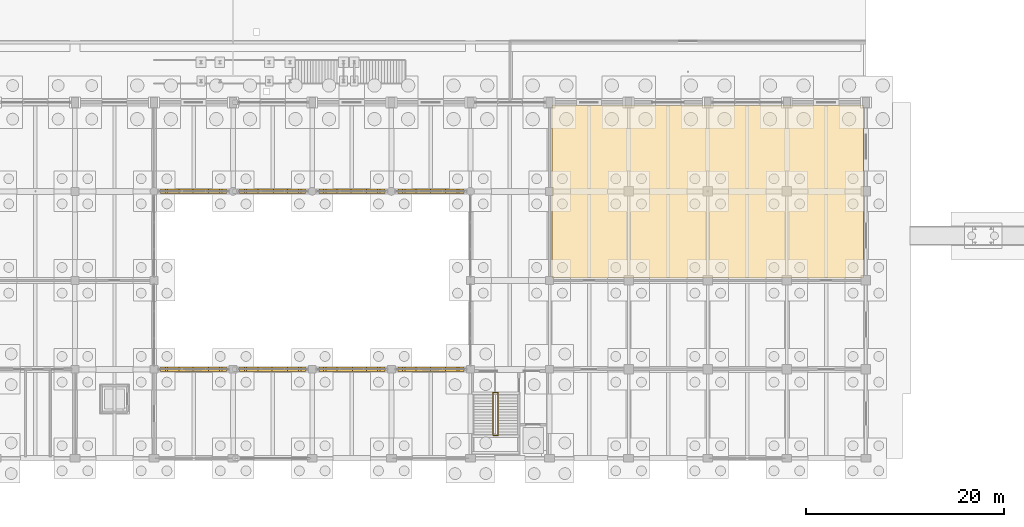
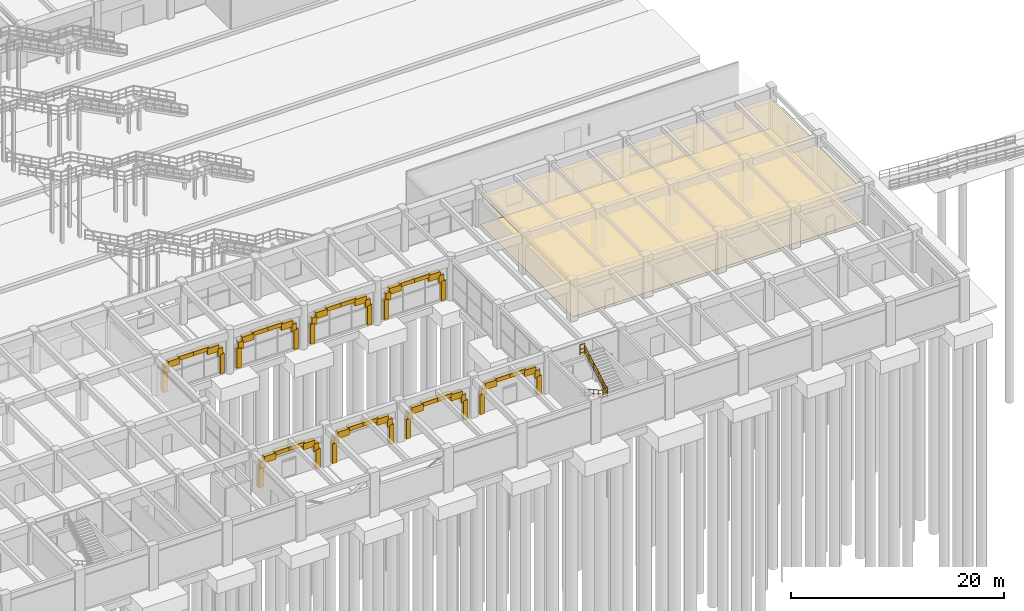
# One storey, part 141 of 147: 66 coverings, 4 railings.
"""IFC4 building model written with IfcOpenShell, lengths in metres."""

from ifc_helpers import new_model, si_unit, direction, frame, origin, origin_2d, place, context, subcontext, project, spatial, polyline, rectangle, circle, outline, extrude, material, layer, layer_set, type_object, element, save


model = new_model("IFC4")

# Units and contexts
model_context = context("Model", 3, precision=1e-05, world=origin(), true_north=direction((0.0, 1.0)))
body_context = subcontext(model_context, "Body", "Model", "MODEL_VIEW")
ifc_project = project(units=[si_unit("LENGTHUNIT", "METRE"), si_unit("AREAUNIT", "SQUARE_METRE"), si_unit("VOLUMEUNIT", "CUBIC_METRE"), si_unit("PLANEANGLEUNIT", "RADIAN"), si_unit("MASSUNIT", "GRAM", prefix="KILO")], contexts=[model_context])

# Site, building, storey
site_placement = place(None, origin())
site = spatial("IfcSite", under=ifc_project, at=site_placement, CompositionType="ELEMENT")
building_placement = place(site_placement, origin())
building = spatial("IfcBuilding", under=site, at=building_placement, Name="Varnabhumi Central Station", CompositionType="ELEMENT")
storey_placement = place(building_placement, origin())
storey = spatial("IfcBuildingStorey", under=building, at=storey_placement, Name="L00", CompositionType="ELEMENT", Elevation=0.0)

# Coverings
ifc_material_1 = material(Name="Mineral-fibre acoustic tile")
ifc_layer_1 = layer(ifc_material_1, 0.02490234375, Name="Mineral-fibre acoustic tile")
ifc_layer_set_1 = layer_set([ifc_layer_1], Name="Mineral-fibre acoustic tile")
covering_type_1 = type_object("IfcCoveringType", Name="COV-CEIL-ACOUSTIC", PredefinedType="CEILING", material=ifc_layer_set_1)
covering_1_placement = place(storey_placement, frame((0.0, 0.0, 3.469970703125)))
element("IfcCovering", 1, at=covering_1_placement, inside=storey, type_object=covering_type_1, Name="Parcel Loading Bay and Dispatch Apron Acoustic Ceiling", PredefinedType="CEILING", context=body_context, shape_type="SweptSolid", body=[
    extrude(outline(polyline([(152.25, 18.25), (183.75, 18.25), (183.75, 35.75), (152.25, 35.75), (152.25, 18.25)])), origin(), (0.0, 0.0, 1.0), 0.025146484375),
])
ifc_material_2 = material(Name="Vitrified granite stone flooring", Category="masonry")
ifc_layer_2 = layer(ifc_material_2, 0.030029296875, Name="Vitrified granite stone flooring", Category="masonry")
ifc_layer_set_2 = layer_set([ifc_layer_2], Name="Vitrified granite stone flooring")
covering_type_2 = type_object("IfcCoveringType", Name="COV-FLOR-GRANITE", PredefinedType="FLOORING", material=ifc_layer_set_2)
covering_2_placement = place(storey_placement, origin())
element("IfcCovering", 2, at=covering_2_placement, inside=storey, type_object=covering_type_2, Name="Parcel Loading Bay and Dispatch Apron Granite Flooring", PredefinedType="FLOORING", context=body_context, shape_type="SweptSolid", body=[
    extrude(outline(polyline([(152.25, 18.25), (183.75, 18.25), (183.75, 35.75), (152.25, 35.75), (152.25, 18.25)])), origin(), (0.0, 0.0, 1.0), 0.030029296875),
])
ifc_material_3 = material(Name="Terracotta clay Mission barrel tile", Category="masonry")
ifc_layer_3 = layer(ifc_material_3, 0.02001953125, Name="Terracotta clay Mission barrel tile", Category="masonry")
ifc_layer_set_3 = layer_set([ifc_layer_3], Name="Terracotta clay Mission barrel tile")
covering_type_3 = type_object("IfcCoveringType", Name="COV-WALL-FAIENCE", PredefinedType="CLADDING", material=ifc_layer_set_3)
covering_3_placement = place(storey_placement, frame((113.107421875, 9.0, 2.06005859375), z_axis=(0.0, 0.0, 1.0), x_axis=(1.0, 0.0, 0.0)))
element("IfcCovering", 3, at=covering_3_placement, inside=storey, type_object=covering_type_3, Name="South Patio Cloister Arch L00-S1 Stone Voussoir 1", PredefinedType="CLADDING", context=body_context, shape_type="SweptSolid", body=[
    extrude(rectangle(XDim=0.534912109375, YDim=0.47998046875, at=origin_2d()), origin(), (0.0, 0.0, 1.0), 0.8798828125),
])
covering_4_placement = place(storey_placement, frame((113.882568359375, 9.0, 2.66015625), z_axis=(0.0, 0.0, 1.0), x_axis=(1.0, 0.0, 0.0)))
element("IfcCovering", 4, at=covering_4_placement, inside=storey, type_object=covering_type_3, Name="South Patio Cloister Arch L00-S1 Stone Voussoir 2", PredefinedType="CLADDING", context=body_context, shape_type="SweptSolid", body=[
    extrude(rectangle(XDim=1.2548828125, YDim=0.47998046875, at=origin_2d()), origin(), (0.0, 0.0, 1.0), 0.718994140625),
])
for number, where, z_axis, x_axis, name in (
    (5, (115.22509765625, 9.0, 3.09912109375), (0.0, 0.0, 1.0), (1.0, 0.0, 0.0), "South Patio Cloister Arch L00-S1 Stone Voussoir 3"),
    (6, (116.77490234375, 9.0, 3.09912109375), (0.0, 0.0, 1.0), (1.0, 0.0, 0.0), "South Patio Cloister Arch L00-S1 Stone Voussoir 4"),
):
    element("IfcCovering", number, at=place(storey_placement, frame(where, z_axis=z_axis, x_axis=x_axis)), inside=storey, type_object=covering_type_3, Name=name, PredefinedType="CLADDING", context=body_context, shape_type="SweptSolid", body=[
        extrude(rectangle(XDim=1.669921875, YDim=0.47998046875, at=origin_2d()), origin(), (0.0, 0.0, 1.0), 0.44091796875),
    ])
covering_5_placement = place(storey_placement, frame((118.117431640625, 9.0, 2.66015625), z_axis=(0.0, 0.0, 1.0), x_axis=(1.0, 0.0, 0.0)))
element("IfcCovering", 7, at=covering_5_placement, inside=storey, type_object=covering_type_3, Name="South Patio Cloister Arch L00-S1 Stone Voussoir 5", PredefinedType="CLADDING", context=body_context, shape_type="SweptSolid", body=[
    extrude(rectangle(XDim=1.2548828125, YDim=0.47998046875, at=origin_2d()), origin(), (0.0, 0.0, 1.0), 0.718994140625),
])
covering_6_placement = place(storey_placement, frame((118.892578125, 9.0, 2.06005859375), z_axis=(0.0, 0.0, 1.0), x_axis=(1.0, 0.0, 0.0)))
element("IfcCovering", 8, at=covering_6_placement, inside=storey, type_object=covering_type_3, Name="South Patio Cloister Arch L00-S1 Stone Voussoir 6", PredefinedType="CLADDING", context=body_context, shape_type="SweptSolid", body=[
    extrude(rectangle(XDim=0.534912109375, YDim=0.47998046875, at=origin_2d()), origin(), (0.0, 0.0, 1.0), 0.8798828125),
])
for number, where, z_axis, x_axis, name in (
    (9, (112.89990234375, 9.0, -0.02001953125), (0.0, 0.0, 1.0), (1.0, 0.0, 0.0), "South Patio Cloister Arch L00-S1 Classical Pilaster 1"),
    (10, (119.10009765625, 9.0, -0.02001953125), (0.0, 0.0, 1.0), (1.0, 0.0, 0.0), "South Patio Cloister Arch L00-S1 Classical Pilaster 2"),
):
    element("IfcCovering", number, at=place(storey_placement, frame(where, z_axis=z_axis, x_axis=x_axis)), inside=storey, type_object=covering_type_3, Name=name, PredefinedType="CLADDING", context=body_context, shape_type="SweptSolid", body=[
        extrude(rectangle(XDim=0.47998046875, YDim=0.47998046875, at=origin_2d()), origin(), (0.0, 0.0, 1.0), 2.239990234375),
    ])
covering_7_placement = place(storey_placement, frame((113.107421875, 27.0, 2.06005859375), z_axis=(0.0, 0.0, 1.0), x_axis=(1.0, 0.0, 0.0)))
element("IfcCovering", 11, at=covering_7_placement, inside=storey, type_object=covering_type_3, Name="South Patio Cloister Arch L00-N1 Stone Voussoir 1", PredefinedType="CLADDING", context=body_context, shape_type="SweptSolid", body=[
    extrude(rectangle(XDim=0.534912109375, YDim=0.47998046875, at=origin_2d()), origin(), (0.0, 0.0, 1.0), 0.8798828125),
])
covering_8_placement = place(storey_placement, frame((113.882568359375, 27.0, 2.66015625), z_axis=(0.0, 0.0, 1.0), x_axis=(1.0, 0.0, 0.0)))
element("IfcCovering", 12, at=covering_8_placement, inside=storey, type_object=covering_type_3, Name="South Patio Cloister Arch L00-N1 Stone Voussoir 2", PredefinedType="CLADDING", context=body_context, shape_type="SweptSolid", body=[
    extrude(rectangle(XDim=1.2548828125, YDim=0.47998046875, at=origin_2d()), origin(), (0.0, 0.0, 1.0), 0.718994140625),
])
for number, where, z_axis, x_axis, name in (
    (13, (115.22509765625, 27.0, 3.09912109375), (0.0, 0.0, 1.0), (1.0, 0.0, 0.0), "South Patio Cloister Arch L00-N1 Stone Voussoir 3"),
    (14, (116.77490234375, 27.0, 3.09912109375), (0.0, 0.0, 1.0), (1.0, 0.0, 0.0), "South Patio Cloister Arch L00-N1 Stone Voussoir 4"),
):
    element("IfcCovering", number, at=place(storey_placement, frame(where, z_axis=z_axis, x_axis=x_axis)), inside=storey, type_object=covering_type_3, Name=name, PredefinedType="CLADDING", context=body_context, shape_type="SweptSolid", body=[
        extrude(rectangle(XDim=1.669921875, YDim=0.47998046875, at=origin_2d()), origin(), (0.0, 0.0, 1.0), 0.44091796875),
    ])
covering_9_placement = place(storey_placement, frame((118.117431640625, 27.0, 2.66015625), z_axis=(0.0, 0.0, 1.0), x_axis=(1.0, 0.0, 0.0)))
element("IfcCovering", 15, at=covering_9_placement, inside=storey, type_object=covering_type_3, Name="South Patio Cloister Arch L00-N1 Stone Voussoir 5", PredefinedType="CLADDING", context=body_context, shape_type="SweptSolid", body=[
    extrude(rectangle(XDim=1.2548828125, YDim=0.47998046875, at=origin_2d()), origin(), (0.0, 0.0, 1.0), 0.718994140625),
])
covering_10_placement = place(storey_placement, frame((118.892578125, 27.0, 2.06005859375), z_axis=(0.0, 0.0, 1.0), x_axis=(1.0, 0.0, 0.0)))
element("IfcCovering", 16, at=covering_10_placement, inside=storey, type_object=covering_type_3, Name="South Patio Cloister Arch L00-N1 Stone Voussoir 6", PredefinedType="CLADDING", context=body_context, shape_type="SweptSolid", body=[
    extrude(rectangle(XDim=0.534912109375, YDim=0.47998046875, at=origin_2d()), origin(), (0.0, 0.0, 1.0), 0.8798828125),
])
for number, where, z_axis, x_axis, name in (
    (17, (112.89990234375, 27.0, -0.02001953125), (0.0, 0.0, 1.0), (1.0, 0.0, 0.0), "South Patio Cloister Arch L00-N1 Classical Pilaster 1"),
    (18, (119.10009765625, 27.0, -0.02001953125), (0.0, 0.0, 1.0), (1.0, 0.0, 0.0), "South Patio Cloister Arch L00-N1 Classical Pilaster 2"),
):
    element("IfcCovering", number, at=place(storey_placement, frame(where, z_axis=z_axis, x_axis=x_axis)), inside=storey, type_object=covering_type_3, Name=name, PredefinedType="CLADDING", context=body_context, shape_type="SweptSolid", body=[
        extrude(rectangle(XDim=0.47998046875, YDim=0.47998046875, at=origin_2d()), origin(), (0.0, 0.0, 1.0), 2.239990234375),
    ])
covering_11_placement = place(storey_placement, frame((121.107421875, 9.0, 2.06005859375), z_axis=(0.0, 0.0, 1.0), x_axis=(1.0, 0.0, 0.0)))
element("IfcCovering", 19, at=covering_11_placement, inside=storey, type_object=covering_type_3, Name="South Patio Cloister Arch L00-S2 Stone Voussoir 1", PredefinedType="CLADDING", context=body_context, shape_type="SweptSolid", body=[
    extrude(rectangle(XDim=0.534912109375, YDim=0.47998046875, at=origin_2d()), origin(), (0.0, 0.0, 1.0), 0.8798828125),
])
covering_12_placement = place(storey_placement, frame((121.882568359375, 9.0, 2.66015625), z_axis=(0.0, 0.0, 1.0), x_axis=(1.0, 0.0, 0.0)))
element("IfcCovering", 20, at=covering_12_placement, inside=storey, type_object=covering_type_3, Name="South Patio Cloister Arch L00-S2 Stone Voussoir 2", PredefinedType="CLADDING", context=body_context, shape_type="SweptSolid", body=[
    extrude(rectangle(XDim=1.2548828125, YDim=0.47998046875, at=origin_2d()), origin(), (0.0, 0.0, 1.0), 0.718994140625),
])
for number, where, z_axis, x_axis, name in (
    (21, (123.22509765625, 9.0, 3.09912109375), (0.0, 0.0, 1.0), (1.0, 0.0, 0.0), "South Patio Cloister Arch L00-S2 Stone Voussoir 3"),
    (22, (124.77490234375, 9.0, 3.09912109375), (0.0, 0.0, 1.0), (1.0, 0.0, 0.0), "South Patio Cloister Arch L00-S2 Stone Voussoir 4"),
):
    element("IfcCovering", number, at=place(storey_placement, frame(where, z_axis=z_axis, x_axis=x_axis)), inside=storey, type_object=covering_type_3, Name=name, PredefinedType="CLADDING", context=body_context, shape_type="SweptSolid", body=[
        extrude(rectangle(XDim=1.669921875, YDim=0.47998046875, at=origin_2d()), origin(), (0.0, 0.0, 1.0), 0.44091796875),
    ])
covering_13_placement = place(storey_placement, frame((126.117431640625, 9.0, 2.66015625), z_axis=(0.0, 0.0, 1.0), x_axis=(1.0, 0.0, 0.0)))
element("IfcCovering", 23, at=covering_13_placement, inside=storey, type_object=covering_type_3, Name="South Patio Cloister Arch L00-S2 Stone Voussoir 5", PredefinedType="CLADDING", context=body_context, shape_type="SweptSolid", body=[
    extrude(rectangle(XDim=1.2548828125, YDim=0.47998046875, at=origin_2d()), origin(), (0.0, 0.0, 1.0), 0.718994140625),
])
covering_14_placement = place(storey_placement, frame((126.892578125, 9.0, 2.06005859375), z_axis=(0.0, 0.0, 1.0), x_axis=(1.0, 0.0, 0.0)))
element("IfcCovering", 24, at=covering_14_placement, inside=storey, type_object=covering_type_3, Name="South Patio Cloister Arch L00-S2 Stone Voussoir 6", PredefinedType="CLADDING", context=body_context, shape_type="SweptSolid", body=[
    extrude(rectangle(XDim=0.534912109375, YDim=0.47998046875, at=origin_2d()), origin(), (0.0, 0.0, 1.0), 0.8798828125),
])
for number, where, z_axis, x_axis, name in (
    (25, (120.89990234375, 9.0, -0.02001953125), (0.0, 0.0, 1.0), (1.0, 0.0, 0.0), "South Patio Cloister Arch L00-S2 Classical Pilaster 1"),
    (26, (127.10009765625, 9.0, -0.02001953125), (0.0, 0.0, 1.0), (1.0, 0.0, 0.0), "South Patio Cloister Arch L00-S2 Classical Pilaster 2"),
):
    element("IfcCovering", number, at=place(storey_placement, frame(where, z_axis=z_axis, x_axis=x_axis)), inside=storey, type_object=covering_type_3, Name=name, PredefinedType="CLADDING", context=body_context, shape_type="SweptSolid", body=[
        extrude(rectangle(XDim=0.47998046875, YDim=0.47998046875, at=origin_2d()), origin(), (0.0, 0.0, 1.0), 2.239990234375),
    ])
covering_15_placement = place(storey_placement, frame((121.107421875, 27.0, 2.06005859375), z_axis=(0.0, 0.0, 1.0), x_axis=(1.0, 0.0, 0.0)))
element("IfcCovering", 27, at=covering_15_placement, inside=storey, type_object=covering_type_3, Name="South Patio Cloister Arch L00-N2 Stone Voussoir 1", PredefinedType="CLADDING", context=body_context, shape_type="SweptSolid", body=[
    extrude(rectangle(XDim=0.534912109375, YDim=0.47998046875, at=origin_2d()), origin(), (0.0, 0.0, 1.0), 0.8798828125),
])
covering_16_placement = place(storey_placement, frame((121.882568359375, 27.0, 2.66015625), z_axis=(0.0, 0.0, 1.0), x_axis=(1.0, 0.0, 0.0)))
element("IfcCovering", 28, at=covering_16_placement, inside=storey, type_object=covering_type_3, Name="South Patio Cloister Arch L00-N2 Stone Voussoir 2", PredefinedType="CLADDING", context=body_context, shape_type="SweptSolid", body=[
    extrude(rectangle(XDim=1.2548828125, YDim=0.47998046875, at=origin_2d()), origin(), (0.0, 0.0, 1.0), 0.718994140625),
])
for number, where, z_axis, x_axis, name in (
    (29, (123.22509765625, 27.0, 3.09912109375), (0.0, 0.0, 1.0), (1.0, 0.0, 0.0), "South Patio Cloister Arch L00-N2 Stone Voussoir 3"),
    (30, (124.77490234375, 27.0, 3.09912109375), (0.0, 0.0, 1.0), (1.0, 0.0, 0.0), "South Patio Cloister Arch L00-N2 Stone Voussoir 4"),
):
    element("IfcCovering", number, at=place(storey_placement, frame(where, z_axis=z_axis, x_axis=x_axis)), inside=storey, type_object=covering_type_3, Name=name, PredefinedType="CLADDING", context=body_context, shape_type="SweptSolid", body=[
        extrude(rectangle(XDim=1.669921875, YDim=0.47998046875, at=origin_2d()), origin(), (0.0, 0.0, 1.0), 0.44091796875),
    ])
covering_17_placement = place(storey_placement, frame((126.117431640625, 27.0, 2.66015625), z_axis=(0.0, 0.0, 1.0), x_axis=(1.0, 0.0, 0.0)))
element("IfcCovering", 31, at=covering_17_placement, inside=storey, type_object=covering_type_3, Name="South Patio Cloister Arch L00-N2 Stone Voussoir 5", PredefinedType="CLADDING", context=body_context, shape_type="SweptSolid", body=[
    extrude(rectangle(XDim=1.2548828125, YDim=0.47998046875, at=origin_2d()), origin(), (0.0, 0.0, 1.0), 0.718994140625),
])
covering_18_placement = place(storey_placement, frame((126.892578125, 27.0, 2.06005859375), z_axis=(0.0, 0.0, 1.0), x_axis=(1.0, 0.0, 0.0)))
element("IfcCovering", 32, at=covering_18_placement, inside=storey, type_object=covering_type_3, Name="South Patio Cloister Arch L00-N2 Stone Voussoir 6", PredefinedType="CLADDING", context=body_context, shape_type="SweptSolid", body=[
    extrude(rectangle(XDim=0.534912109375, YDim=0.47998046875, at=origin_2d()), origin(), (0.0, 0.0, 1.0), 0.8798828125),
])
for number, where, z_axis, x_axis, name in (
    (33, (120.89990234375, 27.0, -0.02001953125), (0.0, 0.0, 1.0), (1.0, 0.0, 0.0), "South Patio Cloister Arch L00-N2 Classical Pilaster 1"),
    (34, (127.10009765625, 27.0, -0.02001953125), (0.0, 0.0, 1.0), (1.0, 0.0, 0.0), "South Patio Cloister Arch L00-N2 Classical Pilaster 2"),
):
    element("IfcCovering", number, at=place(storey_placement, frame(where, z_axis=z_axis, x_axis=x_axis)), inside=storey, type_object=covering_type_3, Name=name, PredefinedType="CLADDING", context=body_context, shape_type="SweptSolid", body=[
        extrude(rectangle(XDim=0.47998046875, YDim=0.47998046875, at=origin_2d()), origin(), (0.0, 0.0, 1.0), 2.239990234375),
    ])
covering_19_placement = place(storey_placement, frame((129.107421875, 9.0, 2.06005859375), z_axis=(0.0, 0.0, 1.0), x_axis=(1.0, 0.0, 0.0)))
element("IfcCovering", 35, at=covering_19_placement, inside=storey, type_object=covering_type_3, Name="South Patio Cloister Arch L00-S3 Stone Voussoir 1", PredefinedType="CLADDING", context=body_context, shape_type="SweptSolid", body=[
    extrude(rectangle(XDim=0.534912109375, YDim=0.47998046875, at=origin_2d()), origin(), (0.0, 0.0, 1.0), 0.8798828125),
])
covering_20_placement = place(storey_placement, frame((129.882568359375, 9.0, 2.66015625), z_axis=(0.0, 0.0, 1.0), x_axis=(1.0, 0.0, 0.0)))
element("IfcCovering", 36, at=covering_20_placement, inside=storey, type_object=covering_type_3, Name="South Patio Cloister Arch L00-S3 Stone Voussoir 2", PredefinedType="CLADDING", context=body_context, shape_type="SweptSolid", body=[
    extrude(rectangle(XDim=1.2548828125, YDim=0.47998046875, at=origin_2d()), origin(), (0.0, 0.0, 1.0), 0.718994140625),
])
for number, where, z_axis, x_axis, name in (
    (37, (131.22509765625, 9.0, 3.09912109375), (0.0, 0.0, 1.0), (1.0, 0.0, 0.0), "South Patio Cloister Arch L00-S3 Stone Voussoir 3"),
    (38, (132.77490234375, 9.0, 3.09912109375), (0.0, 0.0, 1.0), (1.0, 0.0, 0.0), "South Patio Cloister Arch L00-S3 Stone Voussoir 4"),
):
    element("IfcCovering", number, at=place(storey_placement, frame(where, z_axis=z_axis, x_axis=x_axis)), inside=storey, type_object=covering_type_3, Name=name, PredefinedType="CLADDING", context=body_context, shape_type="SweptSolid", body=[
        extrude(rectangle(XDim=1.669921875, YDim=0.47998046875, at=origin_2d()), origin(), (0.0, 0.0, 1.0), 0.44091796875),
    ])
covering_21_placement = place(storey_placement, frame((134.117431640625, 9.0, 2.66015625), z_axis=(0.0, 0.0, 1.0), x_axis=(1.0, 0.0, 0.0)))
element("IfcCovering", 39, at=covering_21_placement, inside=storey, type_object=covering_type_3, Name="South Patio Cloister Arch L00-S3 Stone Voussoir 5", PredefinedType="CLADDING", context=body_context, shape_type="SweptSolid", body=[
    extrude(rectangle(XDim=1.2548828125, YDim=0.47998046875, at=origin_2d()), origin(), (0.0, 0.0, 1.0), 0.718994140625),
])
covering_22_placement = place(storey_placement, frame((134.892578125, 9.0, 2.06005859375), z_axis=(0.0, 0.0, 1.0), x_axis=(1.0, 0.0, 0.0)))
element("IfcCovering", 40, at=covering_22_placement, inside=storey, type_object=covering_type_3, Name="South Patio Cloister Arch L00-S3 Stone Voussoir 6", PredefinedType="CLADDING", context=body_context, shape_type="SweptSolid", body=[
    extrude(rectangle(XDim=0.534912109375, YDim=0.47998046875, at=origin_2d()), origin(), (0.0, 0.0, 1.0), 0.8798828125),
])
for number, where, z_axis, x_axis, name in (
    (41, (128.89990234375, 9.0, -0.02001953125), (0.0, 0.0, 1.0), (1.0, 0.0, 0.0), "South Patio Cloister Arch L00-S3 Classical Pilaster 1"),
    (42, (135.10009765625, 9.0, -0.02001953125), (0.0, 0.0, 1.0), (1.0, 0.0, 0.0), "South Patio Cloister Arch L00-S3 Classical Pilaster 2"),
):
    element("IfcCovering", number, at=place(storey_placement, frame(where, z_axis=z_axis, x_axis=x_axis)), inside=storey, type_object=covering_type_3, Name=name, PredefinedType="CLADDING", context=body_context, shape_type="SweptSolid", body=[
        extrude(rectangle(XDim=0.47998046875, YDim=0.47998046875, at=origin_2d()), origin(), (0.0, 0.0, 1.0), 2.239990234375),
    ])
covering_23_placement = place(storey_placement, frame((129.107421875, 27.0, 2.06005859375), z_axis=(0.0, 0.0, 1.0), x_axis=(1.0, 0.0, 0.0)))
element("IfcCovering", 43, at=covering_23_placement, inside=storey, type_object=covering_type_3, Name="South Patio Cloister Arch L00-N3 Stone Voussoir 1", PredefinedType="CLADDING", context=body_context, shape_type="SweptSolid", body=[
    extrude(rectangle(XDim=0.534912109375, YDim=0.47998046875, at=origin_2d()), origin(), (0.0, 0.0, 1.0), 0.8798828125),
])
covering_24_placement = place(storey_placement, frame((129.882568359375, 27.0, 2.66015625), z_axis=(0.0, 0.0, 1.0), x_axis=(1.0, 0.0, 0.0)))
element("IfcCovering", 44, at=covering_24_placement, inside=storey, type_object=covering_type_3, Name="South Patio Cloister Arch L00-N3 Stone Voussoir 2", PredefinedType="CLADDING", context=body_context, shape_type="SweptSolid", body=[
    extrude(rectangle(XDim=1.2548828125, YDim=0.47998046875, at=origin_2d()), origin(), (0.0, 0.0, 1.0), 0.718994140625),
])
for number, where, z_axis, x_axis, name in (
    (45, (131.22509765625, 27.0, 3.09912109375), (0.0, 0.0, 1.0), (1.0, 0.0, 0.0), "South Patio Cloister Arch L00-N3 Stone Voussoir 3"),
    (46, (132.77490234375, 27.0, 3.09912109375), (0.0, 0.0, 1.0), (1.0, 0.0, 0.0), "South Patio Cloister Arch L00-N3 Stone Voussoir 4"),
):
    element("IfcCovering", number, at=place(storey_placement, frame(where, z_axis=z_axis, x_axis=x_axis)), inside=storey, type_object=covering_type_3, Name=name, PredefinedType="CLADDING", context=body_context, shape_type="SweptSolid", body=[
        extrude(rectangle(XDim=1.669921875, YDim=0.47998046875, at=origin_2d()), origin(), (0.0, 0.0, 1.0), 0.44091796875),
    ])
covering_25_placement = place(storey_placement, frame((134.117431640625, 27.0, 2.66015625), z_axis=(0.0, 0.0, 1.0), x_axis=(1.0, 0.0, 0.0)))
element("IfcCovering", 47, at=covering_25_placement, inside=storey, type_object=covering_type_3, Name="South Patio Cloister Arch L00-N3 Stone Voussoir 5", PredefinedType="CLADDING", context=body_context, shape_type="SweptSolid", body=[
    extrude(rectangle(XDim=1.2548828125, YDim=0.47998046875, at=origin_2d()), origin(), (0.0, 0.0, 1.0), 0.718994140625),
])
covering_26_placement = place(storey_placement, frame((134.892578125, 27.0, 2.06005859375), z_axis=(0.0, 0.0, 1.0), x_axis=(1.0, 0.0, 0.0)))
element("IfcCovering", 48, at=covering_26_placement, inside=storey, type_object=covering_type_3, Name="South Patio Cloister Arch L00-N3 Stone Voussoir 6", PredefinedType="CLADDING", context=body_context, shape_type="SweptSolid", body=[
    extrude(rectangle(XDim=0.534912109375, YDim=0.47998046875, at=origin_2d()), origin(), (0.0, 0.0, 1.0), 0.8798828125),
])
for number, where, z_axis, x_axis, name in (
    (49, (128.89990234375, 27.0, -0.02001953125), (0.0, 0.0, 1.0), (1.0, 0.0, 0.0), "South Patio Cloister Arch L00-N3 Classical Pilaster 1"),
    (50, (135.10009765625, 27.0, -0.02001953125), (0.0, 0.0, 1.0), (1.0, 0.0, 0.0), "South Patio Cloister Arch L00-N3 Classical Pilaster 2"),
):
    element("IfcCovering", number, at=place(storey_placement, frame(where, z_axis=z_axis, x_axis=x_axis)), inside=storey, type_object=covering_type_3, Name=name, PredefinedType="CLADDING", context=body_context, shape_type="SweptSolid", body=[
        extrude(rectangle(XDim=0.47998046875, YDim=0.47998046875, at=origin_2d()), origin(), (0.0, 0.0, 1.0), 2.239990234375),
    ])
covering_27_placement = place(storey_placement, frame((137.107421875, 9.0, 2.06005859375), z_axis=(0.0, 0.0, 1.0), x_axis=(1.0, 0.0, 0.0)))
element("IfcCovering", 51, at=covering_27_placement, inside=storey, type_object=covering_type_3, Name="South Patio Cloister Arch L00-S4 Stone Voussoir 1", PredefinedType="CLADDING", context=body_context, shape_type="SweptSolid", body=[
    extrude(rectangle(XDim=0.534912109375, YDim=0.47998046875, at=origin_2d()), origin(), (0.0, 0.0, 1.0), 0.8798828125),
])
covering_28_placement = place(storey_placement, frame((137.882568359375, 9.0, 2.66015625), z_axis=(0.0, 0.0, 1.0), x_axis=(1.0, 0.0, 0.0)))
element("IfcCovering", 52, at=covering_28_placement, inside=storey, type_object=covering_type_3, Name="South Patio Cloister Arch L00-S4 Stone Voussoir 2", PredefinedType="CLADDING", context=body_context, shape_type="SweptSolid", body=[
    extrude(rectangle(XDim=1.2548828125, YDim=0.47998046875, at=origin_2d()), origin(), (0.0, 0.0, 1.0), 0.718994140625),
])
for number, where, z_axis, x_axis, name in (
    (53, (139.22509765625, 9.0, 3.09912109375), (0.0, 0.0, 1.0), (1.0, 0.0, 0.0), "South Patio Cloister Arch L00-S4 Stone Voussoir 3"),
    (54, (140.77490234375, 9.0, 3.09912109375), (0.0, 0.0, 1.0), (1.0, 0.0, 0.0), "South Patio Cloister Arch L00-S4 Stone Voussoir 4"),
):
    element("IfcCovering", number, at=place(storey_placement, frame(where, z_axis=z_axis, x_axis=x_axis)), inside=storey, type_object=covering_type_3, Name=name, PredefinedType="CLADDING", context=body_context, shape_type="SweptSolid", body=[
        extrude(rectangle(XDim=1.669921875, YDim=0.47998046875, at=origin_2d()), origin(), (0.0, 0.0, 1.0), 0.44091796875),
    ])
covering_29_placement = place(storey_placement, frame((142.117431640625, 9.0, 2.66015625), z_axis=(0.0, 0.0, 1.0), x_axis=(1.0, 0.0, 0.0)))
element("IfcCovering", 55, at=covering_29_placement, inside=storey, type_object=covering_type_3, Name="South Patio Cloister Arch L00-S4 Stone Voussoir 5", PredefinedType="CLADDING", context=body_context, shape_type="SweptSolid", body=[
    extrude(rectangle(XDim=1.2548828125, YDim=0.47998046875, at=origin_2d()), origin(), (0.0, 0.0, 1.0), 0.718994140625),
])
covering_30_placement = place(storey_placement, frame((142.892578125, 9.0, 2.06005859375), z_axis=(0.0, 0.0, 1.0), x_axis=(1.0, 0.0, 0.0)))
element("IfcCovering", 56, at=covering_30_placement, inside=storey, type_object=covering_type_3, Name="South Patio Cloister Arch L00-S4 Stone Voussoir 6", PredefinedType="CLADDING", context=body_context, shape_type="SweptSolid", body=[
    extrude(rectangle(XDim=0.534912109375, YDim=0.47998046875, at=origin_2d()), origin(), (0.0, 0.0, 1.0), 0.8798828125),
])
for number, where, z_axis, x_axis, name in (
    (57, (136.89990234375, 9.0, -0.02001953125), (0.0, 0.0, 1.0), (1.0, 0.0, 0.0), "South Patio Cloister Arch L00-S4 Classical Pilaster 1"),
    (58, (143.10009765625, 9.0, -0.02001953125), (0.0, 0.0, 1.0), (1.0, 0.0, 0.0), "South Patio Cloister Arch L00-S4 Classical Pilaster 2"),
):
    element("IfcCovering", number, at=place(storey_placement, frame(where, z_axis=z_axis, x_axis=x_axis)), inside=storey, type_object=covering_type_3, Name=name, PredefinedType="CLADDING", context=body_context, shape_type="SweptSolid", body=[
        extrude(rectangle(XDim=0.47998046875, YDim=0.47998046875, at=origin_2d()), origin(), (0.0, 0.0, 1.0), 2.239990234375),
    ])
covering_31_placement = place(storey_placement, frame((137.107421875, 27.0, 2.06005859375), z_axis=(0.0, 0.0, 1.0), x_axis=(1.0, 0.0, 0.0)))
element("IfcCovering", 59, at=covering_31_placement, inside=storey, type_object=covering_type_3, Name="South Patio Cloister Arch L00-N4 Stone Voussoir 1", PredefinedType="CLADDING", context=body_context, shape_type="SweptSolid", body=[
    extrude(rectangle(XDim=0.534912109375, YDim=0.47998046875, at=origin_2d()), origin(), (0.0, 0.0, 1.0), 0.8798828125),
])
covering_32_placement = place(storey_placement, frame((137.882568359375, 27.0, 2.66015625), z_axis=(0.0, 0.0, 1.0), x_axis=(1.0, 0.0, 0.0)))
element("IfcCovering", 60, at=covering_32_placement, inside=storey, type_object=covering_type_3, Name="South Patio Cloister Arch L00-N4 Stone Voussoir 2", PredefinedType="CLADDING", context=body_context, shape_type="SweptSolid", body=[
    extrude(rectangle(XDim=1.2548828125, YDim=0.47998046875, at=origin_2d()), origin(), (0.0, 0.0, 1.0), 0.718994140625),
])
for number, where, z_axis, x_axis, name in (
    (61, (139.22509765625, 27.0, 3.09912109375), (0.0, 0.0, 1.0), (1.0, 0.0, 0.0), "South Patio Cloister Arch L00-N4 Stone Voussoir 3"),
    (62, (140.77490234375, 27.0, 3.09912109375), (0.0, 0.0, 1.0), (1.0, 0.0, 0.0), "South Patio Cloister Arch L00-N4 Stone Voussoir 4"),
):
    element("IfcCovering", number, at=place(storey_placement, frame(where, z_axis=z_axis, x_axis=x_axis)), inside=storey, type_object=covering_type_3, Name=name, PredefinedType="CLADDING", context=body_context, shape_type="SweptSolid", body=[
        extrude(rectangle(XDim=1.669921875, YDim=0.47998046875, at=origin_2d()), origin(), (0.0, 0.0, 1.0), 0.44091796875),
    ])
covering_33_placement = place(storey_placement, frame((142.117431640625, 27.0, 2.66015625), z_axis=(0.0, 0.0, 1.0), x_axis=(1.0, 0.0, 0.0)))
element("IfcCovering", 63, at=covering_33_placement, inside=storey, type_object=covering_type_3, Name="South Patio Cloister Arch L00-N4 Stone Voussoir 5", PredefinedType="CLADDING", context=body_context, shape_type="SweptSolid", body=[
    extrude(rectangle(XDim=1.2548828125, YDim=0.47998046875, at=origin_2d()), origin(), (0.0, 0.0, 1.0), 0.718994140625),
])
covering_34_placement = place(storey_placement, frame((142.892578125, 27.0, 2.06005859375), z_axis=(0.0, 0.0, 1.0), x_axis=(1.0, 0.0, 0.0)))
element("IfcCovering", 64, at=covering_34_placement, inside=storey, type_object=covering_type_3, Name="South Patio Cloister Arch L00-N4 Stone Voussoir 6", PredefinedType="CLADDING", context=body_context, shape_type="SweptSolid", body=[
    extrude(rectangle(XDim=0.534912109375, YDim=0.47998046875, at=origin_2d()), origin(), (0.0, 0.0, 1.0), 0.8798828125),
])
for number, where, z_axis, x_axis, name in (
    (65, (136.89990234375, 27.0, -0.02001953125), (0.0, 0.0, 1.0), (1.0, 0.0, 0.0), "South Patio Cloister Arch L00-N4 Classical Pilaster 1"),
    (66, (143.10009765625, 27.0, -0.02001953125), (0.0, 0.0, 1.0), (1.0, 0.0, 0.0), "South Patio Cloister Arch L00-N4 Classical Pilaster 2"),
):
    element("IfcCovering", number, at=place(storey_placement, frame(where, z_axis=z_axis, x_axis=x_axis)), inside=storey, type_object=covering_type_3, Name=name, PredefinedType="CLADDING", context=body_context, shape_type="SweptSolid", body=[
        extrude(rectangle(XDim=0.47998046875, YDim=0.47998046875, at=origin_2d()), origin(), (0.0, 0.0, 1.0), 2.239990234375),
    ])

# Railings
ifc_material_4 = material(Name="Stainless steel Grade 316", Category="steel")
railing_type_1 = type_object("IfcRailingType", Name="RAIL-STAIR-GRD-1150", PredefinedType="GUARDRAIL", material=ifc_material_4)
for number, where, name in (
    (67, (146.300048828125, 2.324951171875, 2.39990234375), "ST-S3 L00 Half-Landing Well Guard"),
    (68, (146.300048828125, 6.639892578125, 4.800048828125), "ST-S3 L00 Arrival Slot Guard"),
):
    element("IfcRailing", number, at=place(storey_placement, frame(where)), inside=storey, type_object=railing_type_1, Name=name, PredefinedType="GUARDRAIL", context=body_context, shape_type="SweptSolid", body=[
        extrude(circle(Radius=0.02392578125, at=origin_2d()), frame((0.0, 0.0, 1.1259765625), z_axis=(1.0, 0.0, 0.0), x_axis=(0.0, 1.0, 0.0)), (0.0, 0.0, 1.0), 0.5),
        extrude(circle(Radius=0.01416015625, at=origin_2d()), frame((0.0, 0.0, 0.597900390625), z_axis=(1.0, 0.0, 0.0), x_axis=(0.0, 1.0, 0.0)), (0.0, 0.0, 1.0), 0.5),
        extrude(circle(Radius=0.01416015625, at=origin_2d()), frame((0.0, 0.0, 0.18408203125), z_axis=(1.0, 0.0, 0.0), x_axis=(0.0, 1.0, 0.0)), (0.0, 0.0, 1.0), 0.5),
        extrude(circle(Radius=0.02099609375, at=origin_2d()), origin(), (0.0, 0.0, 1.0), 1.101806640625),
        extrude(circle(Radius=0.02099609375, at=origin_2d()), frame((0.5, 0.0, 0.0)), (0.0, 0.0, 1.0), 1.101806640625),
    ])
railing_type_2 = type_object("IfcRailingType", Name="RAIL-STAIR-HR-920", PredefinedType="HANDRAIL", material=ifc_material_4)
railing_1_placement = place(storey_placement, frame((146.300048828125, 6.659912109375, 0.0)))
element("IfcRailing", 69, at=railing_1_placement, inside=storey, type_object=railing_type_2, Name="ST-S3 L00 Flight 1 Handrail", PredefinedType="HANDRAIL", context=body_context, shape_type="SweptSolid", body=[
    extrude(circle(Radius=0.02392578125, at=origin_2d()), frame((0.0, 0.0, 0.89599609375), z_axis=(0.0, -0.871987514779, 0.489528113665), x_axis=(1.0, 0.0, 0.0)), (0.0, 0.0, 1.0), 4.902587890625),
    extrude(circle(Radius=0.01416015625, at=origin_2d()), frame((0.0, 0.0, 0.478271484375), z_axis=(0.0, -0.871987514779, 0.489528113665), x_axis=(1.0, 0.0, 0.0)), (0.0, 0.0, 1.0), 4.902587890625),
    extrude(circle(Radius=0.01416015625, at=origin_2d()), frame((0.0, 0.0, 0.147216796875), z_axis=(0.0, -0.871987514779, 0.489528113665), x_axis=(1.0, 0.0, 0.0)), (0.0, 0.0, 1.0), 4.902587890625),
    extrude(circle(Radius=0.02099609375, at=origin_2d()), origin(), (0.0, 0.0, 1.0), 0.871826171875),
    extrude(circle(Radius=0.02099609375, at=origin_2d()), frame((0.0, -0.85498046875, 0.47998046875)), (0.0, 0.0, 1.0), 0.871826171875),
    extrude(circle(Radius=0.02099609375, at=origin_2d()), frame((0.0, -1.7099609375, 0.9599609375)), (0.0, 0.0, 1.0), 0.871826171875),
    extrude(circle(Radius=0.02099609375, at=origin_2d()), frame((0.0, -2.56494140625, 1.43994140625)), (0.0, 0.0, 1.0), 0.871826171875),
    extrude(circle(Radius=0.02099609375, at=origin_2d()), frame((0.0, -3.419921875, 1.919921875)), (0.0, 0.0, 1.0), 0.871826171875),
    extrude(circle(Radius=0.02099609375, at=origin_2d()), frame((0.0, -4.27490234375, 2.39990234375)), (0.0, 0.0, 1.0), 0.871826171875),
])
railing_2_placement = place(storey_placement, frame((146.800048828125, 2.385009765625, 2.39990234375)))
element("IfcRailing", 70, at=railing_2_placement, inside=storey, type_object=railing_type_2, Name="ST-S3 L00 Flight 2 Handrail", PredefinedType="HANDRAIL", context=body_context, shape_type="SweptSolid", body=[
    extrude(circle(Radius=0.02392578125, at=origin_2d()), frame((0.0, 0.0, 0.89599609375), z_axis=(0.0, 0.871966256983, 0.489565977864), x_axis=(-1.0, 0.0, 0.0)), (0.0, 0.0, 1.0), 4.902587890625),
    extrude(circle(Radius=0.01416015625, at=origin_2d()), frame((0.0, 0.0, 0.478271484375), z_axis=(0.0, 0.871966256983, 0.489565977864), x_axis=(-1.0, 0.0, 0.0)), (0.0, 0.0, 1.0), 4.902587890625),
    extrude(circle(Radius=0.01416015625, at=origin_2d()), frame((0.0, 0.0, 0.147216796875), z_axis=(0.0, 0.871966256983, 0.489565977864), x_axis=(-1.0, 0.0, 0.0)), (0.0, 0.0, 1.0), 4.902587890625),
    extrude(circle(Radius=0.02099609375, at=origin_2d()), origin(), (0.0, 0.0, 1.0), 0.871826171875),
    extrude(circle(Radius=0.02099609375, at=origin_2d()), frame((0.0, 0.85498046875, 0.47998046875)), (0.0, 0.0, 1.0), 0.871826171875),
    extrude(circle(Radius=0.02099609375, at=origin_2d()), frame((0.0, 1.7099609375, 0.9599609375)), (0.0, 0.0, 1.0), 0.871826171875),
    extrude(circle(Radius=0.02099609375, at=origin_2d()), frame((0.0, 2.56494140625, 1.440185546875)), (0.0, 0.0, 1.0), 0.871826171875),
    extrude(circle(Radius=0.02099609375, at=origin_2d()), frame((0.0, 3.419921875, 1.920166015625)), (0.0, 0.0, 1.0), 0.871826171875),
    extrude(circle(Radius=0.02099609375, at=origin_2d()), frame((0.0, 4.27490234375, 2.400146484375)), (0.0, 0.0, 1.0), 0.871826171875),
])

save(model, "model.ifc")
